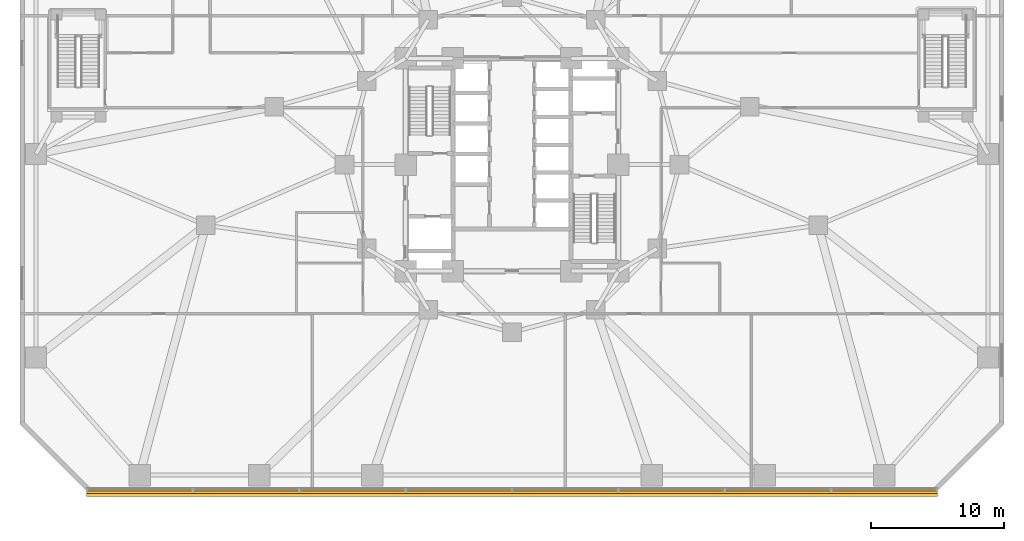
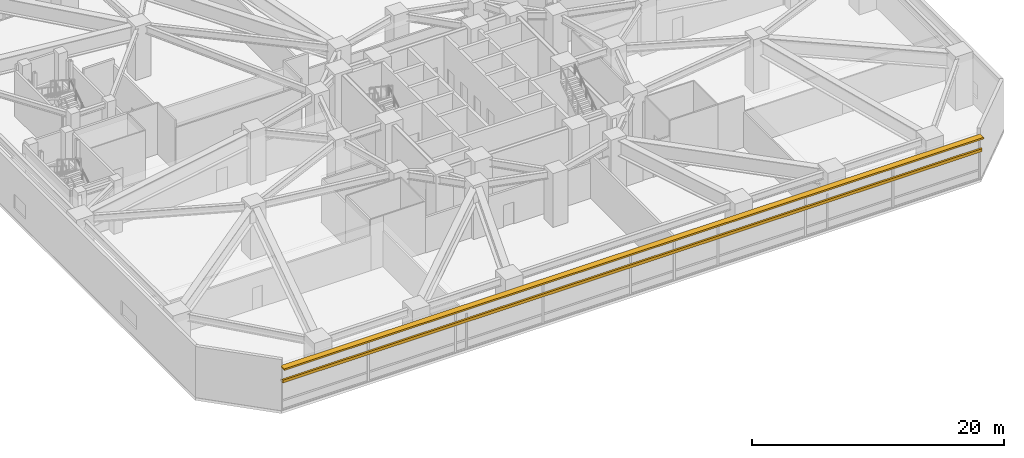
# One storey, part 24 of 28: 2 shading devices.
"""IFC4 building model written with IfcOpenShell, lengths in metres."""

from ifc_helpers import new_model, si_unit, direction, frame, origin, origin_2d, place, context, subcontext, project, spatial, rectangle, extrude, material, type_object, element, save


model = new_model("IFC4")

# Units and contexts
model_context = context("Model", 3, precision=1e-05, world=origin(), true_north=direction((0.0, 1.0)))
body_context = subcontext(model_context, "Body", "Model", "MODEL_VIEW")
ifc_project = project(units=[si_unit("LENGTHUNIT", "METRE"), si_unit("AREAUNIT", "SQUARE_METRE"), si_unit("VOLUMEUNIT", "CUBIC_METRE"), si_unit("PLANEANGLEUNIT", "RADIAN"), si_unit("MASSUNIT", "GRAM", prefix="KILO")], contexts=[model_context])

# Site, building, storey
site_placement = place(None, origin())
site = spatial("IfcSite", under=ifc_project, at=site_placement, CompositionType="ELEMENT")
building_placement = place(site_placement, origin())
building = spatial("IfcBuilding", under=site, at=building_placement, Name="Terralouvre Media Tower", CompositionType="ELEMENT")
storey_placement = place(building_placement, frame((0.0, 0.0, 10.39990234375)))
storey = spatial("IfcBuildingStorey", under=building, at=storey_placement, Name="L02", CompositionType="ELEMENT", Elevation=10.39990234375)

# Shading devices
ifc_material_1 = material(Name="Extruded terracotta baguette sunshade louvres", Category="masonry")
shading_device_type_1 = type_object("IfcShadingDeviceType", Name="Podium Deep Terracotta Sunshade Canopy Blade TB-SH1", PredefinedType="USERDEFINED", material=ifc_material_1)
shading_device_1_placement = place(storey_placement, frame((0.0, -24.679931640625, 4.18994140625), z_axis=(0.0, 0.0, 1.0), x_axis=(1.0, 0.0, 0.0)))
element("IfcShadingDevice", 1, at=shading_device_1_placement, inside=storey, type_object=shading_device_type_1, Name="L02 Podium Deep Sunshade Blade F0", ObjectType="SUNSHADE", PredefinedType="USERDEFINED", context=body_context, shape_type="SweptSolid", body=[
    extrude(rectangle(XDim=64.0, YDim=0.550048828125, at=origin_2d()), origin(), (0.0, 0.0, 1.0), 0.159912109375),
])
ifc_material_2 = material(Name="Extruded terracotta baguette sunshade louvres", Category="masonry")
shading_device_type_2 = type_object("IfcShadingDeviceType", Name="Terracotta Baguette Sunshade Louvre Screen TB-LV1", PredefinedType="USERDEFINED", material=ifc_material_2)
shading_device_2_placement = place(storey_placement, frame((0.0, -24.6201171875, 2.82470703125), z_axis=(0.0, 0.0, 1.0), x_axis=(1.0, 0.0, 0.0)))
element("IfcShadingDevice", 2, at=shading_device_2_placement, inside=storey, type_object=shading_device_type_2, Name="CW-L02-F0 Terracotta Baguette Sunshade Louvre", ObjectType="BAGUETTE", PredefinedType="USERDEFINED", context=body_context, shape_type="SweptSolid", body=[
    extrude(rectangle(XDim=64.0, YDim=0.179931640625, at=origin_2d()), origin(), (0.0, 0.0, 1.0), 0.280029296875),
])

save(model, "model.ifc")
